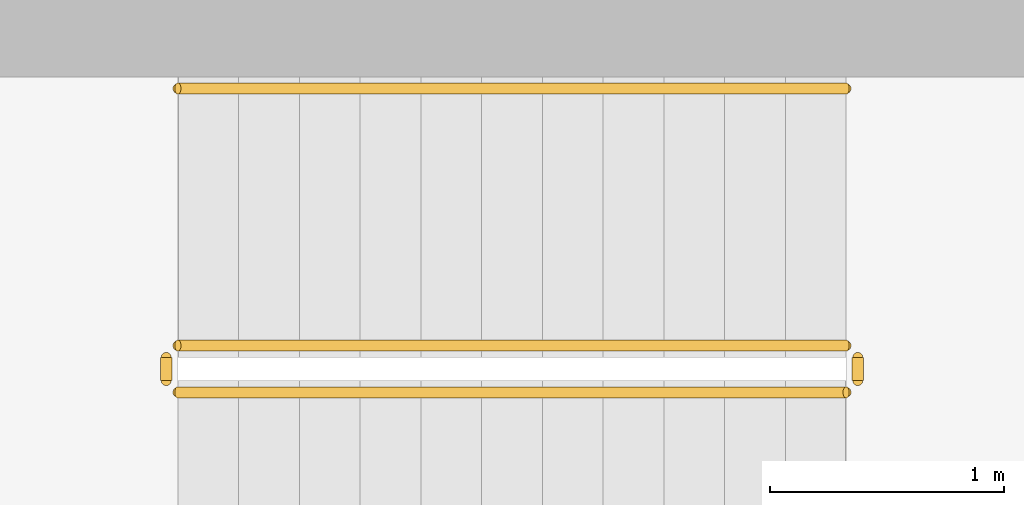
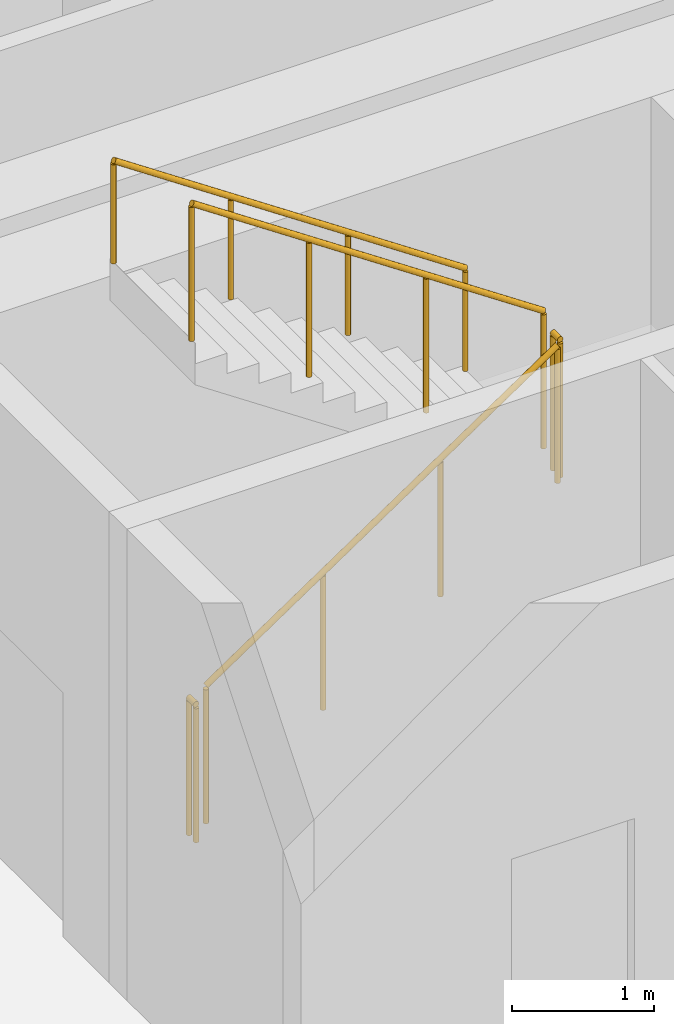
# One storey, part 21 of 26: 5 railings.
"""IFC4 building model written with IfcOpenShell, lengths in metres."""

from ifc_helpers import new_model, si_unit, direction, frame, origin, origin_2d, place, context, subcontext, project, spatial, circle, extrude, material, type_object, element, save


model = new_model("IFC4")

# Units and contexts
model_context = context("Model", 3, precision=1e-05, world=origin(), true_north=direction((0.0, 1.0)))
body_context = subcontext(model_context, "Body", "Model", "MODEL_VIEW")
ifc_project = project(units=[si_unit("LENGTHUNIT", "METRE"), si_unit("AREAUNIT", "SQUARE_METRE"), si_unit("VOLUMEUNIT", "CUBIC_METRE"), si_unit("PLANEANGLEUNIT", "RADIAN"), si_unit("MASSUNIT", "GRAM", prefix="KILO")], contexts=[model_context])

# Site, building, storey
site_placement = place(None, origin())
site = spatial("IfcSite", under=ifc_project, at=site_placement, CompositionType="ELEMENT")
building_placement = place(site_placement, origin())
building = spatial("IfcBuilding", under=site, at=building_placement, Name="Sahrelin Media Tower", CompositionType="ELEMENT")
storey_placement = place(building_placement, frame((0.0, 0.0, 102.0)))
storey = spatial("IfcBuildingStorey", under=building, at=storey_placement, Name="L19", CompositionType="ELEMENT", Elevation=102.0)

# Railings
ifc_material = material(Name="Steel S355", Category="steel")
railing_type_1 = type_object("IfcRailingType", Name="Stair guard 1200", PredefinedType="GUARDRAIL", material=ifc_material)
railing_1_placement = place(storey_placement, frame((-7.675048828125, 5.25, 0.175048828125)))
element("IfcRailing", 1, at=railing_1_placement, inside=storey, type_object=railing_type_1, Name="L19 ST1 stair guard 1", PredefinedType="GUARDRAIL", context=body_context, shape_type="SweptSolid", body=[
    extrude(circle(Radius=0.02392578125, at=origin_2d()), frame((0.0, 0.0, 1.17578125), z_axis=(0.829590901723, 0.0, 0.558371682465), x_axis=(0.0, 1.0, 0.0)), (0.0, 0.0, 1.0), 3.447509765625),
    extrude(circle(Radius=0.02099609375, at=origin_2d()), origin(), (0.0, 0.0, 1.0), 1.15185546875),
    extrude(circle(Radius=0.02099609375, at=origin_2d()), frame((0.953369140625, 0.0, 0.6416015625)), (0.0, 0.0, 1.0), 1.15185546875),
    extrude(circle(Radius=0.02099609375, at=origin_2d()), frame((1.90673828125, 0.0, 1.283447265625)), (0.0, 0.0, 1.0), 1.15185546875),
    extrude(circle(Radius=0.02099609375, at=origin_2d()), frame((2.860107421875, 0.0, 1.925048828125)), (0.0, 0.0, 1.0), 1.15185546875),
])
railing_2_placement = place(storey_placement, frame((-4.764892578125, 5.300048828125, 2.10009765625)))
element("IfcRailing", 2, at=railing_2_placement, inside=storey, type_object=railing_type_1, Name="L19 ST1 stair guard 2", PredefinedType="GUARDRAIL", context=body_context, shape_type="SweptSolid", body=[
    extrude(circle(Radius=0.02392578125, at=origin_2d()), frame((0.0, 0.0, 1.17578125), z_axis=(0.0, 1.0, 0.0), x_axis=(-1.0, 0.0, 0.0)), (0.0, 0.0, 1.0), 0.099853515625),
    extrude(circle(Radius=0.02099609375, at=origin_2d()), origin(), (0.0, 0.0, 1.0), 1.15185546875),
    extrude(circle(Radius=0.02099609375, at=origin_2d()), frame((0.0, 0.099853515625, 0.0)), (0.0, 0.0, 1.0), 1.15185546875),
])
railing_3_placement = place(storey_placement, frame((-4.81494140625, 5.449951171875, 2.27490234375)))
element("IfcRailing", 3, at=railing_3_placement, inside=storey, type_object=railing_type_1, Name="L19 ST1 stair guard 3", PredefinedType="GUARDRAIL", context=body_context, shape_type="SweptSolid", body=[
    extrude(circle(Radius=0.02392578125, at=origin_2d()), frame((0.0, 0.0, 1.17578125), z_axis=(-0.829590901723, 0.0, 0.558371682465), x_axis=(0.0, -1.0, 0.0)), (0.0, 0.0, 1.0), 3.447509765625),
    extrude(circle(Radius=0.02099609375, at=origin_2d()), origin(), (0.0, 0.0, 1.0), 1.15185546875),
    extrude(circle(Radius=0.02099609375, at=origin_2d()), frame((-0.953369140625, 0.0, 0.6416015625)), (0.0, 0.0, 1.0), 1.15185546875),
    extrude(circle(Radius=0.02099609375, at=origin_2d()), frame((-1.90673828125, 0.0, 1.283447265625)), (0.0, 0.0, 1.0), 1.15185546875),
    extrude(circle(Radius=0.02099609375, at=origin_2d()), frame((-2.860107421875, 0.0, 1.925048828125)), (0.0, 0.0, 1.0), 1.15185546875),
])
railing_4_placement = place(storey_placement, frame((-7.72509765625, 5.300048828125, 0.0)))
element("IfcRailing", 4, at=railing_4_placement, inside=storey, type_object=railing_type_1, Name="L19 ST1 stair guard 4", PredefinedType="GUARDRAIL", context=body_context, shape_type="SweptSolid", body=[
    extrude(circle(Radius=0.02392578125, at=origin_2d()), frame((0.0, 0.0, 1.17578125), z_axis=(0.0, 1.0, 0.0), x_axis=(-1.0, 0.0, 0.0)), (0.0, 0.0, 1.0), 0.099853515625),
    extrude(circle(Radius=0.02099609375, at=origin_2d()), origin(), (0.0, 0.0, 1.0), 1.15185546875),
    extrude(circle(Radius=0.02099609375, at=origin_2d()), frame((0.0, 0.099853515625, 0.0)), (0.0, 0.0, 1.0), 1.15185546875),
])
railing_type_2 = type_object("IfcRailingType", Name="Stair handrail 900", PredefinedType="HANDRAIL", material=ifc_material)
railing_5_placement = place(storey_placement, frame((-4.81494140625, 6.550048828125, 2.27490234375)))
element("IfcRailing", 5, at=railing_5_placement, inside=storey, type_object=railing_type_2, Name="L19 ST1 stair handrail 2", PredefinedType="HANDRAIL", context=body_context, shape_type="SweptSolid", body=[
    extrude(circle(Radius=0.02392578125, at=origin_2d()), frame((0.0, 0.0, 0.8759765625), z_axis=(-0.829590901723, 0.0, 0.558371682465), x_axis=(0.0, -1.0, 0.0)), (0.0, 0.0, 1.0), 3.447509765625),
    extrude(circle(Radius=0.02099609375, at=origin_2d()), origin(), (0.0, 0.0, 1.0), 0.851806640625),
    extrude(circle(Radius=0.02099609375, at=origin_2d()), frame((-0.953369140625, 0.0, 0.6416015625)), (0.0, 0.0, 1.0), 0.851806640625),
    extrude(circle(Radius=0.02099609375, at=origin_2d()), frame((-1.90673828125, 0.0, 1.283447265625)), (0.0, 0.0, 1.0), 0.851806640625),
    extrude(circle(Radius=0.02099609375, at=origin_2d()), frame((-2.860107421875, 0.0, 1.925048828125)), (0.0, 0.0, 1.0), 0.851806640625),
])

save(model, "model.ifc")
